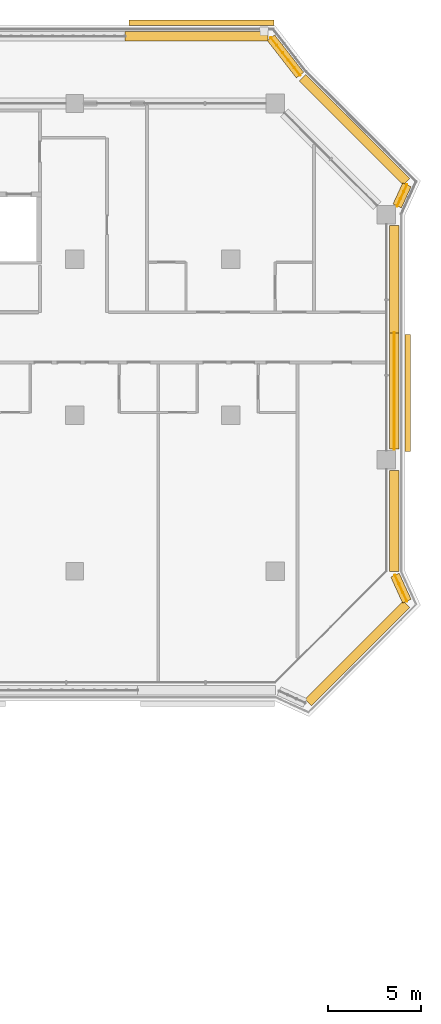
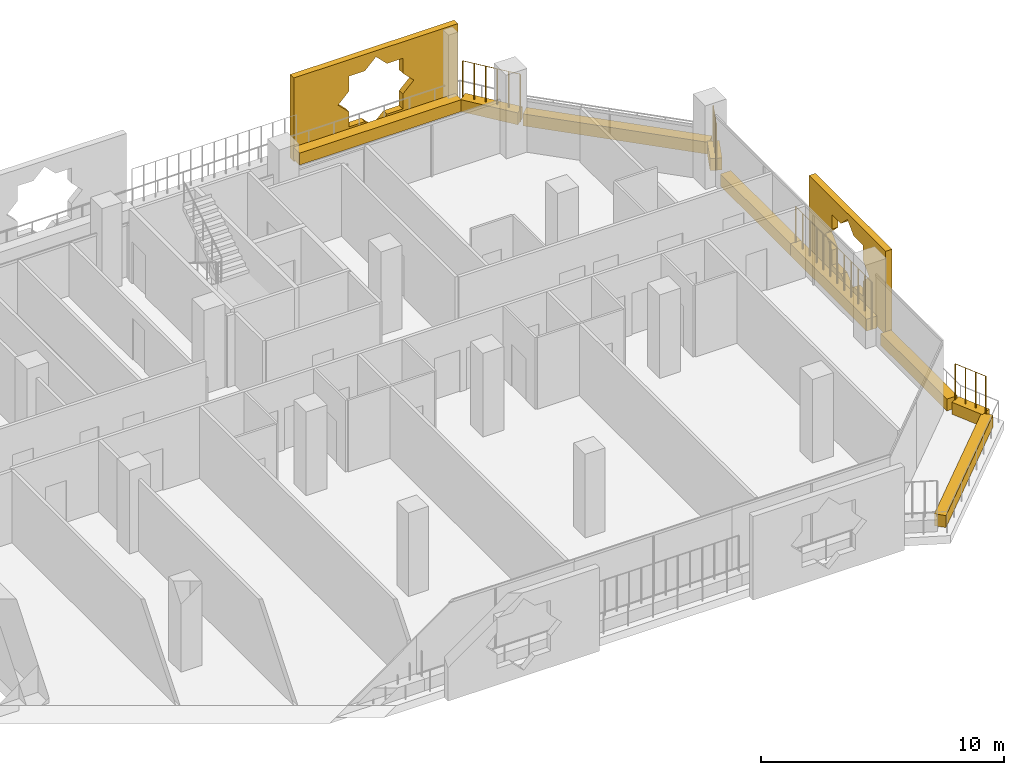
# One storey, part 22 of 22: 11 coverings, 4 railings.
"""IFC4 building model written with IfcOpenShell, lengths in metres."""

from ifc_helpers import new_model, si_unit, direction, frame, origin, origin_2d, place, context, subcontext, project, spatial, polyline, rectangle, circle, outline, extrude, material, material_profile, profile_set, type_object, element, save


model = new_model("IFC4")

# Units and contexts
model_context = context("Model", 3, precision=1e-05, world=origin(), true_north=direction((0.0, 1.0)))
body_context = subcontext(model_context, "Body", "Model", "MODEL_VIEW")
ifc_project = project(units=[si_unit("LENGTHUNIT", "METRE"), si_unit("AREAUNIT", "SQUARE_METRE"), si_unit("VOLUMEUNIT", "CUBIC_METRE"), si_unit("PLANEANGLEUNIT", "RADIAN"), si_unit("MASSUNIT", "GRAM", prefix="KILO")], contexts=[model_context])

# Site, building, storey
site_placement = place(None, origin())
site = spatial("IfcSite", under=ifc_project, at=site_placement, CompositionType="ELEMENT")
building_placement = place(site_placement, origin())
building = spatial("IfcBuilding", under=site, at=building_placement, Name="Kawkab Arch Medical Tower", CompositionType="ELEMENT")
storey_placement = place(building_placement, frame((0.0, 0.0, 187.800048828125)))
storey = spatial("IfcBuildingStorey", under=building, at=storey_placement, Name="L43", CompositionType="ELEMENT", Elevation=187.800048828125)

# Coverings
ifc_material_1 = material(Name="Bronze anodised aluminium mashrabiya panel, eight-point star pattern", Category="aluminium")
ifc_material_profile_1 = material_profile(ifc_material_1, outline(polyline([(-3.14990234375, -2.10009765625), (3.14990234375, -2.10009765625), (3.14990234375, 2.10009765625), (-3.14990234375, 2.10009765625), (-3.14990234375, -2.10009765625)]), holes=[polyline([(1.800048828125, 0.0), (1.272705078125, 0.527099609375), (1.272705078125, 1.272705078125), (0.527099609375, 1.272705078125), (0.0, 1.800048828125), (-0.527099609375, 1.272705078125), (-1.272705078125, 1.272705078125), (-1.272705078125, 0.527099609375), (-1.800048828125, 0.0), (-1.272705078125, -0.527099609375), (-1.272705078125, -1.272705078125), (-0.527099609375, -1.272705078125), (0.0, -1.800048828125), (0.527099609375, -1.272705078125), (1.272705078125, -1.272705078125), (1.272705078125, -0.527099609375), (1.800048828125, 0.0)])]), Name="Mashrabiya panel 6300x4200")
ifc_profile_set_1 = profile_set([ifc_material_profile_1], Name="Bronze anodised aluminium mashrabiya panel, eight-point star pattern")
covering_type_1 = type_object("IfcCoveringType", Name="Mashrabiya panel 6300 x 4200", PredefinedType="USERDEFINED", material=ifc_profile_set_1)
covering_1_placement = place(storey_placement, frame((68.199951171875, -15.60009765625, 1.699951171875), z_axis=(1.0, 0.0, 0.0), x_axis=(0.0, 1.0, 0.0)))
element("IfcCovering", 1, at=covering_1_placement, inside=storey, type_object=covering_type_1, Name="Mashrabiya panel L43.LOG-01-01.9", ObjectType="SCREEN", PredefinedType="USERDEFINED", context=body_context, shape_type="SweptSolid", body=[
    extrude(outline(polyline([(-3.14990234375, -2.10009765625), (3.14990234375, -2.10009765625), (3.14990234375, 2.10009765625), (-3.14990234375, 2.10009765625), (-3.14990234375, -2.10009765625)]), holes=[polyline([(1.800048828125, 0.0), (1.272705078125, 0.527099609375), (1.272705078125, 1.272705078125), (0.527099609375, 1.272705078125), (0.0, 1.800048828125), (-0.527099609375, 1.272705078125), (-1.272705078125, 1.272705078125), (-1.272705078125, 0.527099609375), (-1.800048828125, 0.0), (-1.272705078125, -0.527099609375), (-1.272705078125, -1.272705078125), (-0.527099609375, -1.272705078125), (0.0, -1.800048828125), (0.527099609375, -1.272705078125), (1.272705078125, -1.272705078125), (1.272705078125, -0.527099609375), (1.800048828125, 0.0)])]), origin(), (0.0, 0.0, 1.0), 0.300048828125),
])
ifc_material_2 = material(Name="Bronze anodised aluminium mashrabiya panel, eight-point star pattern", Category="aluminium")
ifc_material_profile_2 = material_profile(ifc_material_2, outline(polyline([(-3.89990234375, -2.10009765625), (3.89990234375, -2.10009765625), (3.89990234375, 2.10009765625), (-3.89990234375, 2.10009765625), (-3.89990234375, -2.10009765625)]), holes=[polyline([(1.800048828125, 0.0), (1.272705078125, 0.527099609375), (1.272705078125, 1.272705078125), (0.527099609375, 1.272705078125), (0.0, 1.800048828125), (-0.527099609375, 1.272705078125), (-1.272705078125, 1.272705078125), (-1.272705078125, 0.527099609375), (-1.800048828125, 0.0), (-1.272705078125, -0.527099609375), (-1.272705078125, -1.272705078125), (-0.527099609375, -1.272705078125), (0.0, -1.800048828125), (0.527099609375, -1.272705078125), (1.272705078125, -1.272705078125), (1.272705078125, -0.527099609375), (1.800048828125, 0.0)])]), Name="Mashrabiya panel 7800x4200")
ifc_profile_set_2 = profile_set([ifc_material_profile_2], Name="Bronze anodised aluminium mashrabiya panel, eight-point star pattern")
covering_type_2 = type_object("IfcCoveringType", Name="Mashrabiya panel 7800 x 4200", PredefinedType="USERDEFINED", material=ifc_profile_set_2)
covering_2_placement = place(storey_placement, frame((57.23291015625, 4.199951171875, 1.699951171875), z_axis=(0.0, 1.0, 0.0), x_axis=(-1.0, 0.0, 0.0)))
element("IfcCovering", 2, at=covering_2_placement, inside=storey, type_object=covering_type_2, Name="Mashrabiya panel L43.LOG-01-01.8", ObjectType="SCREEN", PredefinedType="USERDEFINED", context=body_context, shape_type="SweptSolid", body=[
    extrude(outline(polyline([(-3.89990234375, -2.10009765625), (3.89990234375, -2.10009765625), (3.89990234375, 2.10009765625), (-3.89990234375, 2.10009765625), (-3.89990234375, -2.10009765625)]), holes=[polyline([(1.800048828125, 0.0), (1.272705078125, 0.527099609375), (1.272705078125, 1.272705078125), (0.527099609375, 1.272705078125), (0.0, 1.800048828125), (-0.527099609375, 1.272705078125), (-1.272705078125, 1.272705078125), (-1.272705078125, 0.527099609375), (-1.800048828125, 0.0), (-1.272705078125, -0.527099609375), (-1.272705078125, -1.272705078125), (-0.527099609375, -1.272705078125), (0.0, -1.800048828125), (0.527099609375, -1.272705078125), (1.272705078125, -1.272705078125), (1.272705078125, -0.527099609375), (1.800048828125, 0.0)])]), origin(), (0.0, 0.0, 1.0), 0.300048828125),
])
ifc_material_3 = material(Name="Planting soil in a precast trough", Category="concrete")
ifc_material_profile_3 = material_profile(ifc_material_3, rectangle(XDim=0.5, YDim=0.60009765625, at=origin_2d()), Name="Trough 500x600")
ifc_profile_set_3 = profile_set([ifc_material_profile_3], Name="Planting soil in a precast trough")
covering_type_3 = type_object("IfcCoveringType", Name="Planter trough 500 x 600", PredefinedType="USERDEFINED", material=ifc_profile_set_3)
covering_3_placement = place(storey_placement, frame((53.112060546875, 3.6201171875, 0.300048828125), z_axis=(1.0, 0.0, 0.0), x_axis=(0.0, 1.0, 0.0)))
element("IfcCovering", 3, at=covering_3_placement, inside=storey, type_object=covering_type_3, Name="Planter L43.LOG-01-01.24", ObjectType="PLANTER", PredefinedType="USERDEFINED", context=body_context, shape_type="SweptSolid", body=[
    extrude(rectangle(XDim=0.5, YDim=0.60009765625, at=origin_2d()), origin(), (0.0, 0.0, 1.0), 7.703857421875),
])
covering_4_placement = place(storey_placement, frame((60.97802734375, 3.541015625, 0.300048828125), z_axis=(0.61404021143, -0.789274742246, 0.0), x_axis=(0.789274742246, 0.61404021143, 0.0)))
element("IfcCovering", 4, at=covering_4_placement, inside=storey, type_object=covering_type_3, Name="Planter L43.LOG-01-01.25", ObjectType="PLANTER", PredefinedType="USERDEFINED", context=body_context, shape_type="SweptSolid", body=[
    extrude(rectangle(XDim=0.5, YDim=0.60009765625, at=origin_2d()), origin(), (0.0, 0.0, 1.0), 2.54541015625),
])
covering_5_placement = place(storey_placement, frame((62.673095703125, 1.383056640625, 0.300048828125), z_axis=(0.707091367247, -0.70712219479, 0.0), x_axis=(0.70712219479, 0.707091367247, 0.0)))
element("IfcCovering", 5, at=covering_5_placement, inside=storey, type_object=covering_type_3, Name="Planter L43.LOG-01-01.26", ObjectType="PLANTER", PredefinedType="USERDEFINED", context=body_context, shape_type="SweptSolid", body=[
    extrude(rectangle(XDim=0.5, YDim=0.60009765625, at=origin_2d()), origin(), (0.0, 0.0, 1.0), 7.919677734375),
])
covering_6_placement = place(storey_placement, frame((68.302001953125, -4.37890625, 0.300048828125), z_axis=(-0.415089762627, -0.909780461959, 0.0), x_axis=(0.909780461959, -0.415089762627, 0.0)))
element("IfcCovering", 6, at=covering_6_placement, inside=storey, type_object=covering_type_3, Name="Planter L43.LOG-01-01.27", ObjectType="PLANTER", PredefinedType="USERDEFINED", context=body_context, shape_type="SweptSolid", body=[
    extrude(rectangle(XDim=0.5, YDim=0.60009765625, at=origin_2d()), origin(), (0.0, 0.0, 1.0), 1.257568359375),
])
covering_7_placement = place(storey_placement, frame((67.6201171875, -6.580078125, 0.300048828125), z_axis=(0.0, -1.0, 0.0), x_axis=(1.0, 0.0, 0.0)))
element("IfcCovering", 7, at=covering_7_placement, inside=storey, type_object=covering_type_3, Name="Planter L43.LOG-01-01.28", ObjectType="PLANTER", PredefinedType="USERDEFINED", context=body_context, shape_type="SweptSolid", body=[
    extrude(rectangle(XDim=0.5, YDim=0.60009765625, at=origin_2d()), origin(), (0.0, 0.0, 1.0), 5.77783203125),
])
covering_8_placement = place(storey_placement, frame((67.6201171875, -12.35791015625, 0.300048828125), z_axis=(0.0, -1.0, 0.0), x_axis=(1.0, 0.0, 0.0)))
element("IfcCovering", 8, at=covering_8_placement, inside=storey, type_object=covering_type_3, Name="Planter L43.LOG-01-01.29", ObjectType="PLANTER", PredefinedType="USERDEFINED", context=body_context, shape_type="SweptSolid", body=[
    extrude(rectangle(XDim=0.5, YDim=0.60009765625, at=origin_2d()), origin(), (0.0, 0.0, 1.0), 6.26220703125),
])
covering_9_placement = place(storey_placement, frame((67.6201171875, -19.780029296875, 0.300048828125), z_axis=(0.0, -1.0, 0.0), x_axis=(1.0, 0.0, 0.0)))
element("IfcCovering", 9, at=covering_9_placement, inside=storey, type_object=covering_type_3, Name="Planter L43.LOG-01-01.30", ObjectType="PLANTER", PredefinedType="USERDEFINED", context=body_context, shape_type="SweptSolid", body=[
    extrude(rectangle(XDim=0.5, YDim=0.60009765625, at=origin_2d()), origin(), (0.0, 0.0, 1.0), 5.446044921875),
])
covering_10_placement = place(storey_placement, frame((67.660888671875, -25.4169921875, 0.300048828125), z_axis=(0.415363486165, -0.909655525109, 0.0), x_axis=(0.909655525109, 0.415363486165, 0.0)))
element("IfcCovering", 10, at=covering_10_placement, inside=storey, type_object=covering_type_3, Name="Planter L43.LOG-01-01.31", ObjectType="PLANTER", PredefinedType="USERDEFINED", context=body_context, shape_type="SweptSolid", body=[
    extrude(rectangle(XDim=0.5, YDim=0.60009765625, at=origin_2d()), origin(), (0.0, 0.0, 1.0), 1.54345703125),
])
covering_11_placement = place(storey_placement, frame((68.27294921875, -26.98291015625, 0.300048828125), z_axis=(-0.707106781187, -0.707106781187, 0.0), x_axis=(0.707106781187, -0.707106781187, 0.0)))
element("IfcCovering", 11, at=covering_11_placement, inside=storey, type_object=covering_type_3, Name="Planter L43.LOG-01-01.32", ObjectType="PLANTER", PredefinedType="USERDEFINED", context=body_context, shape_type="SweptSolid", body=[
    extrude(rectangle(XDim=0.5, YDim=0.60009765625, at=origin_2d()), origin(), (0.0, 0.0, 1.0), 7.481201171875),
])

# Railings
ifc_material_4 = material(Name="Bronze anodised aluminium trellis for climbing plants", Category="aluminium")
railing_type = type_object("IfcRailingType", Name="Planting trellis 2400", PredefinedType="USERDEFINED", material=ifc_material_4)
railing_1_placement = place(storey_placement, frame((60.97802734375, 3.541015625, 0.0)))
element("IfcRailing", 12, at=railing_1_placement, inside=storey, type_object=railing_type, Name="Planting trellis L43.LOG-01-01.25", ObjectType="TRELLIS", PredefinedType="USERDEFINED", context=body_context, shape_type="SweptSolid", body=[
    extrude(circle(Radius=0.01513671875, at=origin_2d()), frame((0.0, 0.0, 2.384765625), z_axis=(0.61404021143, -0.789274742246, 0.0), x_axis=(0.789274742246, 0.61404021143, 0.0)), (0.0, 0.0, 1.0), 2.54541015625),
    extrude(circle(Radius=0.030029296875, at=origin_2d()), origin(), (0.0, 0.0, 1.0), 2.369873046875),
    extrude(circle(Radius=0.030029296875, at=origin_2d()), frame((0.3125, -0.40185546875, 0.0)), (0.0, 0.0, 1.0), 2.369873046875),
    extrude(circle(Radius=0.030029296875, at=origin_2d()), frame((0.625244140625, -0.8037109375, 0.0)), (0.0, 0.0, 1.0), 2.369873046875),
    extrude(circle(Radius=0.030029296875, at=origin_2d()), frame((0.937744140625, -1.205322265625, 0.0)), (0.0, 0.0, 1.0), 2.369873046875),
    extrude(circle(Radius=0.030029296875, at=origin_2d()), frame((1.25048828125, -1.607177734375, 0.0)), (0.0, 0.0, 1.0), 2.369873046875),
    extrude(circle(Radius=0.030029296875, at=origin_2d()), frame((1.56298828125, -2.009033203125, 0.0)), (0.0, 0.0, 1.0), 2.369873046875),
])
railing_2_placement = place(storey_placement, frame((68.302001953125, -4.37890625, 0.0)))
element("IfcRailing", 13, at=railing_2_placement, inside=storey, type_object=railing_type, Name="Planting trellis L43.LOG-01-01.27", ObjectType="TRELLIS", PredefinedType="USERDEFINED", context=body_context, shape_type="SweptSolid", body=[
    extrude(circle(Radius=0.01513671875, at=origin_2d()), frame((0.0, 0.0, 2.384765625), z_axis=(-0.415089762627, -0.909780461959, 0.0), x_axis=(0.909780461959, -0.415089762627, 0.0)), (0.0, 0.0, 1.0), 1.257568359375),
    extrude(circle(Radius=0.030029296875, at=origin_2d()), origin(), (0.0, 0.0, 1.0), 2.369873046875),
    extrude(circle(Radius=0.030029296875, at=origin_2d()), frame((-0.174072265625, -0.38134765625, 0.0)), (0.0, 0.0, 1.0), 2.369873046875),
    extrude(circle(Radius=0.030029296875, at=origin_2d()), frame((-0.347900390625, -0.7626953125, 0.0)), (0.0, 0.0, 1.0), 2.369873046875),
    extrude(circle(Radius=0.030029296875, at=origin_2d()), frame((-0.52197265625, -1.14404296875, 0.0)), (0.0, 0.0, 1.0), 2.369873046875),
])
railing_3_placement = place(storey_placement, frame((67.6201171875, -12.35791015625, 0.0)))
element("IfcRailing", 14, at=railing_3_placement, inside=storey, type_object=railing_type, Name="Planting trellis L43.LOG-01-01.29", ObjectType="TRELLIS", PredefinedType="USERDEFINED", context=body_context, shape_type="SweptSolid", body=[
    extrude(circle(Radius=0.01513671875, at=origin_2d()), frame((0.0, 0.0, 2.384765625), z_axis=(0.0, -1.0, 0.0), x_axis=(1.0, 0.0, 0.0)), (0.0, 0.0, 1.0), 6.26220703125),
    extrude(circle(Radius=0.030029296875, at=origin_2d()), origin(), (0.0, 0.0, 1.0), 2.369873046875),
    extrude(circle(Radius=0.030029296875, at=origin_2d()), frame((0.0, -0.5693359375, 0.0)), (0.0, 0.0, 1.0), 2.369873046875),
    extrude(circle(Radius=0.030029296875, at=origin_2d()), frame((0.0, -1.138671875, 0.0)), (0.0, 0.0, 1.0), 2.369873046875),
    extrude(circle(Radius=0.030029296875, at=origin_2d()), frame((0.0, -1.707763671875, 0.0)), (0.0, 0.0, 1.0), 2.369873046875),
    extrude(circle(Radius=0.030029296875, at=origin_2d()), frame((0.0, -2.277099609375, 0.0)), (0.0, 0.0, 1.0), 2.369873046875),
    extrude(circle(Radius=0.030029296875, at=origin_2d()), frame((0.0, -2.846435546875, 0.0)), (0.0, 0.0, 1.0), 2.369873046875),
    extrude(circle(Radius=0.030029296875, at=origin_2d()), frame((0.0, -3.415771484375, 0.0)), (0.0, 0.0, 1.0), 2.369873046875),
    extrude(circle(Radius=0.030029296875, at=origin_2d()), frame((0.0, -3.985107421875, 0.0)), (0.0, 0.0, 1.0), 2.369873046875),
    extrude(circle(Radius=0.030029296875, at=origin_2d()), frame((0.0, -4.554443359375, 0.0)), (0.0, 0.0, 1.0), 2.369873046875),
    extrude(circle(Radius=0.030029296875, at=origin_2d()), frame((0.0, -5.12353515625, 0.0)), (0.0, 0.0, 1.0), 2.369873046875),
    extrude(circle(Radius=0.030029296875, at=origin_2d()), frame((0.0, -5.69287109375, 0.0)), (0.0, 0.0, 1.0), 2.369873046875),
    extrude(circle(Radius=0.030029296875, at=origin_2d()), frame((0.0, -6.26220703125, 0.0)), (0.0, 0.0, 1.0), 2.369873046875),
])
railing_4_placement = place(storey_placement, frame((67.660888671875, -25.4169921875, 0.0)))
element("IfcRailing", 15, at=railing_4_placement, inside=storey, type_object=railing_type, Name="Planting trellis L43.LOG-01-01.31", ObjectType="TRELLIS", PredefinedType="USERDEFINED", context=body_context, shape_type="SweptSolid", body=[
    extrude(circle(Radius=0.01513671875, at=origin_2d()), frame((0.0, 0.0, 2.384765625), z_axis=(0.415363486165, -0.909655525109, 0.0), x_axis=(0.909655525109, 0.415363486165, 0.0)), (0.0, 0.0, 1.0), 1.54345703125),
    extrude(circle(Radius=0.030029296875, at=origin_2d()), origin(), (0.0, 0.0, 1.0), 2.369873046875),
    extrude(circle(Radius=0.030029296875, at=origin_2d()), frame((0.213623046875, -0.468017578125, 0.0)), (0.0, 0.0, 1.0), 2.369873046875),
    extrude(circle(Radius=0.030029296875, at=origin_2d()), frame((0.427490234375, -0.93603515625, 0.0)), (0.0, 0.0, 1.0), 2.369873046875),
    extrude(circle(Radius=0.030029296875, at=origin_2d()), frame((0.64111328125, -1.404052734375, 0.0)), (0.0, 0.0, 1.0), 2.369873046875),
])

save(model, "model.ifc")
